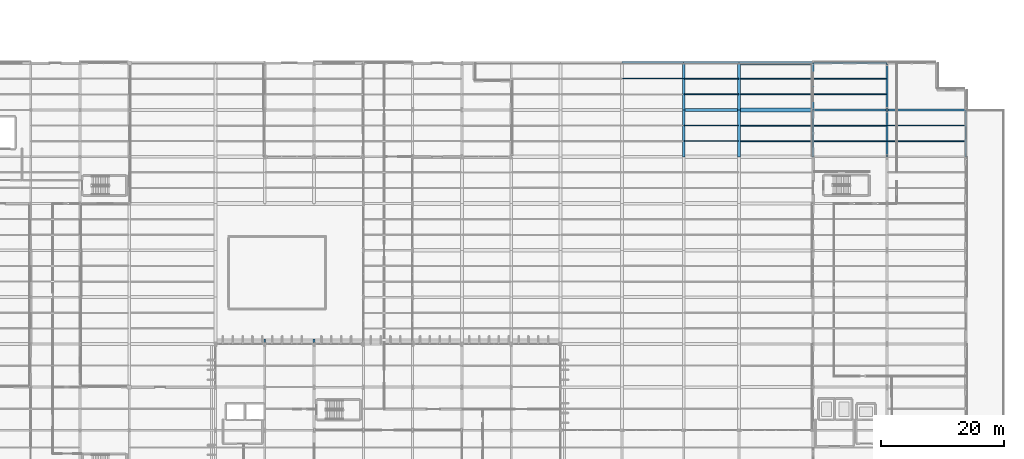
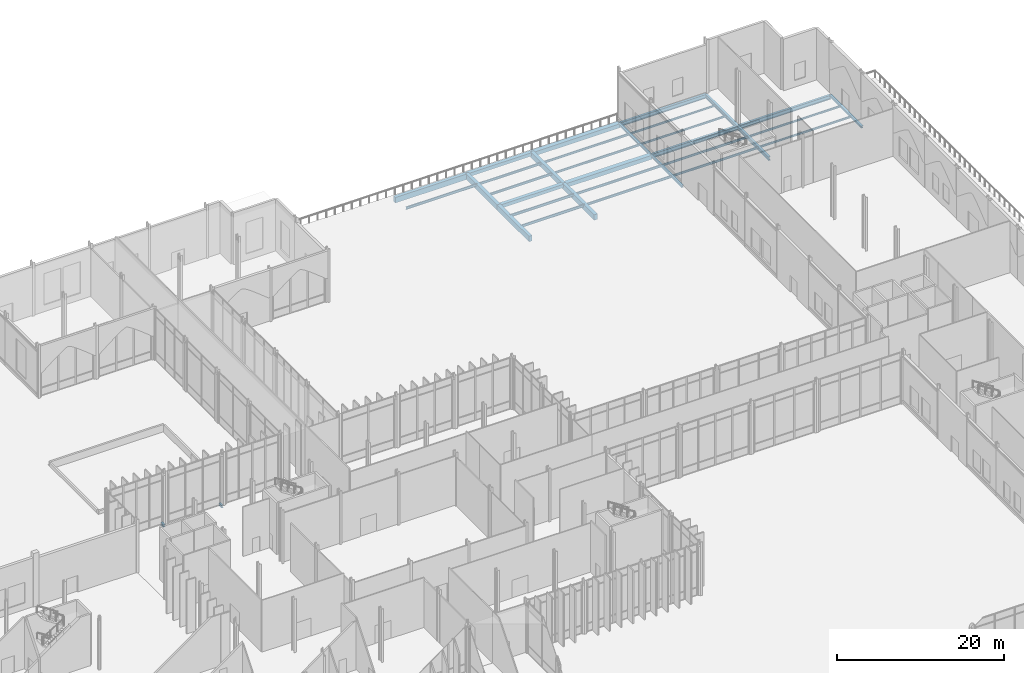
# One storey, part 115 of 176: 34 beams.
"""IFC4 building model written with IfcOpenShell, lengths in metres."""

from ifc_helpers import new_model, si_unit, direction, frame, origin, origin_2d, place, context, subcontext, project, spatial, rectangle, i_section, extrude, material, material_profile, profile_set, type_object, element, save


model = new_model("IFC4")

# Units and contexts
model_context = context("Model", 3, precision=1e-05, world=origin(), true_north=direction((0.0, 1.0)))
body_context = subcontext(model_context, "Body", "Model", "MODEL_VIEW")
ifc_project = project(units=[si_unit("LENGTHUNIT", "METRE"), si_unit("AREAUNIT", "SQUARE_METRE"), si_unit("VOLUMEUNIT", "CUBIC_METRE"), si_unit("PLANEANGLEUNIT", "RADIAN"), si_unit("MASSUNIT", "GRAM", prefix="KILO")], contexts=[model_context])

# Site, building, storey
site_placement = place(None, origin())
site = spatial("IfcSite", under=ifc_project, at=site_placement, CompositionType="ELEMENT")
building_placement = place(site_placement, origin())
building = spatial("IfcBuilding", under=site, at=building_placement, Name="Vekula Escarpment Museum", CompositionType="ELEMENT")
storey_placement = place(building_placement, origin())
storey = spatial("IfcBuildingStorey", under=building, at=storey_placement, Name="L01", CompositionType="ELEMENT", Elevation=0.0)

# Beams
ifc_material_1 = material(Name="Steel S355", Category="steel")
ifc_material_profile_1 = material_profile(ifc_material_1, i_section(OverallWidth=0.300048828125, OverallDepth=0.360107421875, WebThickness=0.012451171875, FlangeThickness=0.0224609375, FilletRadius=0.027099609375, at=origin_2d()), Name="HEB 360")
ifc_profile_set_1 = profile_set([ifc_material_profile_1], Name="Steel S355")
beam_type_1 = type_object("IfcBeamType", Name="BM-GIRD-HEB360", PredefinedType="BEAM", material=ifc_profile_set_1)
for number, where, z_axis, x_axis, name in (
    (1, (78.0, 90.550048828125, -0.47998046875), (0.0, 1.0, 0.0), (-1.0, 0.0, 0.0), "Solar Fin Column Bracket 008"),
    (2, (86.0, 90.550048828125, -0.47998046875), (0.0, 1.0, 0.0), (-1.0, 0.0, 0.0), "Solar Fin Column Bracket 009"),
):
    element("IfcBeam", number, at=place(storey_placement, frame(where, z_axis=z_axis, x_axis=x_axis)), inside=storey, type_object=beam_type_1, Name=name, PredefinedType="BEAM", context=body_context, shape_type="SweptSolid", body=[
        extrude(i_section(OverallWidth=0.300048828125, OverallDepth=0.360107421875, WebThickness=0.012451171875, FlangeThickness=0.0224609375, FilletRadius=0.027099609375, at=origin_2d()), origin(), (0.0, 0.0, 1.0), 0.679931640625),
    ])
ifc_material_2 = material(Name="Steel S355", Category="steel")
ifc_material_profile_2 = material_profile(ifc_material_2, i_section(OverallWidth=0.300048828125, OverallDepth=0.550048828125, WebThickness=0.014892578125, FlangeThickness=0.029052734375, FilletRadius=0.027099609375, at=origin_2d()), Name="HEB 550")
ifc_profile_set_2 = profile_set([ifc_material_profile_2], Name="Steel S355")
beam_type_2 = type_object("IfcBeamType", Name="BM-GIRD-HEB550", PredefinedType="BEAM", material=ifc_profile_set_2)
beam_1_placement = place(storey_placement, frame((179.0, 120.800048828125, -0.574951171875), z_axis=(0.0, 1.0, 0.0), x_axis=(-1.0, 0.0, 0.0)))
element("IfcBeam", 3, at=beam_1_placement, inside=storey, type_object=beam_type_2, Name="Beam Y L01 0760", PredefinedType="BEAM", context=body_context, shape_type="SweptSolid", body=[
    extrude(i_section(OverallWidth=0.300048828125, OverallDepth=0.550048828125, WebThickness=0.014892578125, FlangeThickness=0.029052734375, FilletRadius=0.027099609375, at=origin_2d()), origin(), (0.0, 0.0, 1.0), 7.599853515625),
])
beam_2_placement = place(storey_placement, frame((179.0, 128.39990234375, -0.574951171875), z_axis=(0.0, 1.0, 0.0), x_axis=(-1.0, 0.0, 0.0)))
element("IfcBeam", 4, at=beam_2_placement, inside=storey, type_object=beam_type_2, Name="Beam Y L01 0761", PredefinedType="BEAM", context=body_context, shape_type="SweptSolid", body=[
    extrude(i_section(OverallWidth=0.300048828125, OverallDepth=0.550048828125, WebThickness=0.014892578125, FlangeThickness=0.029052734375, FilletRadius=0.027099609375, at=origin_2d()), origin(), (0.0, 0.0, 1.0), 7.60009765625),
])
ifc_material_3 = material(Name="Steel S355", Category="steel")
ifc_material_profile_3 = material_profile(ifc_material_3, i_section(OverallWidth=0.300048828125, OverallDepth=0.60009765625, WebThickness=0.015380859375, FlangeThickness=0.030029296875, FilletRadius=0.027099609375, at=origin_2d()), Name="HEB 600")
ifc_profile_set_3 = profile_set([ifc_material_profile_3], Name="Steel S355")
beam_type_3 = type_object("IfcBeamType", Name="BM-GIRD-HEB600", PredefinedType="BEAM", material=ifc_profile_set_3)
beam_3_placement = place(storey_placement, frame((167.0, 128.39990234375, -0.60009765625), z_axis=(1.0, 0.0, 0.0), x_axis=(0.0, 1.0, 0.0)))
element("IfcBeam", 5, at=beam_3_placement, inside=storey, type_object=beam_type_3, Name="Beam X L01 0373", PredefinedType="BEAM", context=body_context, shape_type="SweptSolid", body=[
    extrude(i_section(OverallWidth=0.300048828125, OverallDepth=0.60009765625, WebThickness=0.015380859375, FlangeThickness=0.030029296875, FilletRadius=0.027099609375, at=origin_2d()), origin(), (0.0, 0.0, 1.0), 12.0),
])
beam_4_placement = place(storey_placement, frame((179.0, 128.39990234375, -0.60009765625), z_axis=(1.0, 0.0, 0.0), x_axis=(0.0, 1.0, 0.0)))
element("IfcBeam", 6, at=beam_4_placement, inside=storey, type_object=beam_type_3, Name="Beam X L01 0374", PredefinedType="BEAM", context=body_context, shape_type="SweptSolid", body=[
    extrude(i_section(OverallWidth=0.300048828125, OverallDepth=0.60009765625, WebThickness=0.015380859375, FlangeThickness=0.030029296875, FilletRadius=0.027099609375, at=origin_2d()), origin(), (0.0, 0.0, 1.0), 12.800048828125),
])
beam_5_placement = place(storey_placement, frame((167.0, 136.0, -0.60009765625), z_axis=(1.0, 0.0, 0.0), x_axis=(0.0, 1.0, 0.0)))
element("IfcBeam", 7, at=beam_5_placement, inside=storey, type_object=beam_type_3, Name="Beam X L01 0396", PredefinedType="BEAM", context=body_context, shape_type="SweptSolid", body=[
    extrude(i_section(OverallWidth=0.300048828125, OverallDepth=0.60009765625, WebThickness=0.015380859375, FlangeThickness=0.030029296875, FilletRadius=0.027099609375, at=origin_2d()), origin(), (0.0, 0.0, 1.0), 12.0),
])
ifc_material_4 = material(Name="Steel S355", Category="steel")
ifc_material_profile_4 = material_profile(ifc_material_4, i_section(OverallWidth=0.135009765625, OverallDepth=0.27001953125, WebThickness=0.006591796875, FlangeThickness=0.01025390625, FilletRadius=0.014892578125, at=origin_2d()), Name="IPE 270")
ifc_profile_set_4 = profile_set([ifc_material_profile_4], Name="Steel S355")
beam_type_4 = type_object("IfcBeamType", Name="BM-JST-IPE270", PredefinedType="JOIST", material=ifc_profile_set_4)
for number, where, z_axis, x_axis, name in (
    (8, (167.090087890625, 130.933349609375, -0.43505859375), (1.0, 0.0, 0.0), (0.0, 1.0, 0.0), "Secondary Joist L01 0565"),
    (9, (167.090087890625, 133.466796875, -0.43505859375), (1.0, 0.0, 0.0), (0.0, 1.0, 0.0), "Secondary Joist L01 0566"),
):
    element("IfcBeam", number, at=place(storey_placement, frame(where, z_axis=z_axis, x_axis=x_axis)), inside=storey, type_object=beam_type_4, Name=name, PredefinedType="JOIST", context=body_context, shape_type="SweptSolid", body=[
        extrude(i_section(OverallWidth=0.135009765625, OverallDepth=0.27001953125, WebThickness=0.006591796875, FlangeThickness=0.01025390625, FilletRadius=0.014892578125, at=origin_2d()), origin(), (0.0, 0.0, 1.0), 11.81982421875),
    ])
for number, where, z_axis, x_axis, name in (
    (10, (179.090087890625, 123.333251953125, -0.43505859375), (1.0, 0.0, 0.0), (0.0, 1.0, 0.0), "Secondary Joist L01 0593"),
    (11, (179.090087890625, 125.86669921875, -0.43505859375), (1.0, 0.0, 0.0), (0.0, 1.0, 0.0), "Secondary Joist L01 0594"),
):
    element("IfcBeam", number, at=place(storey_placement, frame(where, z_axis=z_axis, x_axis=x_axis)), inside=storey, type_object=beam_type_4, Name=name, PredefinedType="JOIST", context=body_context, shape_type="SweptSolid", body=[
        extrude(i_section(OverallWidth=0.135009765625, OverallDepth=0.27001953125, WebThickness=0.006591796875, FlangeThickness=0.01025390625, FilletRadius=0.014892578125, at=origin_2d()), origin(), (0.0, 0.0, 1.0), 12.619873046875),
    ])
ifc_material_5 = material(Name="Steel S355", Category="steel")
ifc_material_profile_5 = material_profile(ifc_material_5, i_section(OverallWidth=0.14990234375, OverallDepth=0.300048828125, WebThickness=0.007080078125, FlangeThickness=0.0107421875, FilletRadius=0.014892578125, at=origin_2d()), Name="IPE 300")
ifc_profile_set_5 = profile_set([ifc_material_profile_5], Name="Steel S355")
beam_type_5 = type_object("IfcBeamType", Name="BM-JST-IPE300", PredefinedType="JOIST", material=ifc_profile_set_5)
for number, where, z_axis, x_axis, name in (
    (12, (155.090087890625, 130.933349609375, -0.449951171875), (1.0, 0.0, 0.0), (0.0, 1.0, 0.0), "Secondary Joist L01 0537"),
    (13, (155.090087890625, 133.466796875, -0.449951171875), (1.0, 0.0, 0.0), (0.0, 1.0, 0.0), "Secondary Joist L01 0538"),
    (14, (167.090087890625, 123.333251953125, -0.449951171875), (1.0, 0.0, 0.0), (0.0, 1.0, 0.0), "Secondary Joist L01 0563"),
    (15, (167.090087890625, 125.86669921875, -0.449951171875), (1.0, 0.0, 0.0), (0.0, 1.0, 0.0), "Secondary Joist L01 0564"),
):
    element("IfcBeam", number, at=place(storey_placement, frame(where, z_axis=z_axis, x_axis=x_axis)), inside=storey, type_object=beam_type_5, Name=name, PredefinedType="JOIST", context=body_context, shape_type="SweptSolid", body=[
        extrude(i_section(OverallWidth=0.14990234375, OverallDepth=0.300048828125, WebThickness=0.007080078125, FlangeThickness=0.0107421875, FilletRadius=0.014892578125, at=origin_2d()), origin(), (0.0, 0.0, 1.0), 11.81982421875),
    ])
ifc_material_6 = material(Name="Steel S355", Category="steel")
ifc_material_profile_6 = material_profile(ifc_material_6, i_section(OverallWidth=0.159912109375, OverallDepth=0.330078125, WebThickness=0.007568359375, FlangeThickness=0.011474609375, FilletRadius=0.01806640625, at=origin_2d()), Name="IPE 330")
ifc_profile_set_6 = profile_set([ifc_material_profile_6], Name="Steel S355")
beam_type_6 = type_object("IfcBeamType", Name="BM-JST-IPE330", PredefinedType="JOIST", material=ifc_profile_set_6)
for number, where, z_axis, x_axis, name in (
    (16, (146.090087890625, 130.933349609375, -0.465087890625), (1.0, 0.0, 0.0), (0.0, 1.0, 0.0), "Secondary Joist L01 0505"),
    (17, (146.090087890625, 133.466796875, -0.465087890625), (1.0, 0.0, 0.0), (0.0, 1.0, 0.0), "Secondary Joist L01 0506"),
):
    element("IfcBeam", number, at=place(storey_placement, frame(where, z_axis=z_axis, x_axis=x_axis)), inside=storey, type_object=beam_type_6, Name=name, PredefinedType="JOIST", context=body_context, shape_type="SweptSolid", body=[
        extrude(i_section(OverallWidth=0.159912109375, OverallDepth=0.330078125, WebThickness=0.007568359375, FlangeThickness=0.011474609375, FilletRadius=0.01806640625, at=origin_2d()), origin(), (0.0, 0.0, 1.0), 8.81982421875),
    ])
for number, where, z_axis, x_axis, name in (
    (18, (155.090087890625, 123.333251953125, -0.465087890625), (1.0, 0.0, 0.0), (0.0, 1.0, 0.0), "Secondary Joist L01 0535"),
    (19, (155.090087890625, 125.86669921875, -0.465087890625), (1.0, 0.0, 0.0), (0.0, 1.0, 0.0), "Secondary Joist L01 0536"),
):
    element("IfcBeam", number, at=place(storey_placement, frame(where, z_axis=z_axis, x_axis=x_axis)), inside=storey, type_object=beam_type_6, Name=name, PredefinedType="JOIST", context=body_context, shape_type="SweptSolid", body=[
        extrude(i_section(OverallWidth=0.159912109375, OverallDepth=0.330078125, WebThickness=0.007568359375, FlangeThickness=0.011474609375, FilletRadius=0.01806640625, at=origin_2d()), origin(), (0.0, 0.0, 1.0), 11.81982421875),
    ])
ifc_material_7 = material(Name="Steel S355", Category="steel")
ifc_material_profile_7 = material_profile(ifc_material_7, i_section(OverallWidth=0.169921875, OverallDepth=0.360107421875, WebThickness=0.008056640625, FlangeThickness=0.0126953125, FilletRadius=0.01806640625, at=origin_2d()), Name="IPE 360")
ifc_profile_set_7 = profile_set([ifc_material_profile_7], Name="Steel S355")
beam_type_7 = type_object("IfcBeamType", Name="BM-JST-IPE360", PredefinedType="JOIST", material=ifc_profile_set_7)
beam_6_placement = place(storey_placement, frame((136.090087890625, 133.466796875, -0.47998046875), z_axis=(1.0, 0.0, 0.0), x_axis=(0.0, 1.0, 0.0)))
element("IfcBeam", 20, at=beam_6_placement, inside=storey, type_object=beam_type_7, Name="Secondary Joist L01 0474", PredefinedType="JOIST", context=body_context, shape_type="SweptSolid", body=[
    extrude(i_section(OverallWidth=0.169921875, OverallDepth=0.360107421875, WebThickness=0.008056640625, FlangeThickness=0.0126953125, FilletRadius=0.01806640625, at=origin_2d()), origin(), (0.0, 0.0, 1.0), 9.81982421875),
])
for number, where, z_axis, x_axis, name in (
    (21, (146.090087890625, 123.333251953125, -0.47998046875), (1.0, 0.0, 0.0), (0.0, 1.0, 0.0), "Secondary Joist L01 0503"),
    (22, (146.090087890625, 125.86669921875, -0.47998046875), (1.0, 0.0, 0.0), (0.0, 1.0, 0.0), "Secondary Joist L01 0504"),
):
    element("IfcBeam", number, at=place(storey_placement, frame(where, z_axis=z_axis, x_axis=x_axis)), inside=storey, type_object=beam_type_7, Name=name, PredefinedType="JOIST", context=body_context, shape_type="SweptSolid", body=[
        extrude(i_section(OverallWidth=0.169921875, OverallDepth=0.360107421875, WebThickness=0.008056640625, FlangeThickness=0.0126953125, FilletRadius=0.01806640625, at=origin_2d()), origin(), (0.0, 0.0, 1.0), 8.81982421875),
    ])
ifc_material_8 = material(Name="Concrete C35/45", Category="concrete")
ifc_material_profile_8 = material_profile(ifc_material_8, rectangle(XDim=0.449951171875, YDim=0.800048828125, at=origin_2d()), Name="RC 450x800")
ifc_profile_set_8 = profile_set([ifc_material_profile_8], Name="Concrete C35/45")
beam_type_8 = type_object("IfcBeamType", Name="BM-PLINTH-RC", PredefinedType="BEAM", material=ifc_profile_set_8)
beam_7_placement = place(storey_placement, frame((136.0, 136.0, -0.699951171875), z_axis=(1.0, 0.0, 0.0), x_axis=(0.0, 1.0, 0.0)))
element("IfcBeam", 23, at=beam_7_placement, inside=storey, type_object=beam_type_8, Name="Beam X L01 0393", PredefinedType="BEAM", context=body_context, shape_type="SweptSolid", body=[
    extrude(rectangle(XDim=0.449951171875, YDim=0.800048828125, at=origin_2d()), origin(), (0.0, 0.0, 1.0), 10.0),
])
beam_8_placement = place(storey_placement, frame((146.0, 120.800048828125, -0.699951171875), z_axis=(0.0, 1.0, 0.0), x_axis=(-1.0, 0.0, 0.0)))
element("IfcBeam", 24, at=beam_8_placement, inside=storey, type_object=beam_type_8, Name="Beam Y L01 0703", PredefinedType="BEAM", context=body_context, shape_type="SweptSolid", body=[
    extrude(rectangle(XDim=0.449951171875, YDim=0.800048828125, at=origin_2d()), origin(), (0.0, 0.0, 1.0), 7.599853515625),
])
beam_9_placement = place(storey_placement, frame((146.0, 128.39990234375, -0.699951171875), z_axis=(0.0, 1.0, 0.0), x_axis=(-1.0, 0.0, 0.0)))
element("IfcBeam", 25, at=beam_9_placement, inside=storey, type_object=beam_type_8, Name="Beam Y L01 0704", PredefinedType="BEAM", context=body_context, shape_type="SweptSolid", body=[
    extrude(rectangle(XDim=0.449951171875, YDim=0.800048828125, at=origin_2d()), origin(), (0.0, 0.0, 1.0), 7.60009765625),
])
beam_10_placement = place(storey_placement, frame((155.0, 120.800048828125, -0.699951171875), z_axis=(0.0, 1.0, 0.0), x_axis=(-1.0, 0.0, 0.0)))
element("IfcBeam", 26, at=beam_10_placement, inside=storey, type_object=beam_type_8, Name="Beam Y L01 0722", PredefinedType="BEAM", context=body_context, shape_type="SweptSolid", body=[
    extrude(rectangle(XDim=0.449951171875, YDim=0.800048828125, at=origin_2d()), origin(), (0.0, 0.0, 1.0), 7.599853515625),
])
beam_11_placement = place(storey_placement, frame((155.0, 128.39990234375, -0.699951171875), z_axis=(0.0, 1.0, 0.0), x_axis=(-1.0, 0.0, 0.0)))
element("IfcBeam", 27, at=beam_11_placement, inside=storey, type_object=beam_type_8, Name="Beam Y L01 0723", PredefinedType="BEAM", context=body_context, shape_type="SweptSolid", body=[
    extrude(rectangle(XDim=0.449951171875, YDim=0.800048828125, at=origin_2d()), origin(), (0.0, 0.0, 1.0), 7.60009765625),
])
ifc_material_9 = material(Name="Concrete C35/45", Category="concrete")
ifc_material_profile_9 = material_profile(ifc_material_9, rectangle(XDim=0.5, YDim=0.5, at=origin_2d()), Name="RC 500x500")
ifc_profile_set_9 = profile_set([ifc_material_profile_9], Name="Concrete C35/45")
beam_type_9 = type_object("IfcBeamType", Name="BM-PLINTH-RC3", PredefinedType="BEAM", material=ifc_profile_set_9)
for number, where, z_axis, x_axis, name in (
    (28, (146.0, 128.39990234375, -0.550048828125), (1.0, 0.0, 0.0), (0.0, 1.0, 0.0), "Beam X L01 0371"),
    (29, (146.0, 136.0, -0.550048828125), (1.0, 0.0, 0.0), (0.0, 1.0, 0.0), "Beam X L01 0394"),
):
    element("IfcBeam", number, at=place(storey_placement, frame(where, z_axis=z_axis, x_axis=x_axis)), inside=storey, type_object=beam_type_9, Name=name, PredefinedType="BEAM", context=body_context, shape_type="SweptSolid", body=[
        extrude(rectangle(XDim=0.5, YDim=0.5, at=origin_2d()), origin(), (0.0, 0.0, 1.0), 9.0),
    ])
ifc_material_10 = material(Name="Concrete C35/45", Category="concrete")
ifc_material_profile_10 = material_profile(ifc_material_10, rectangle(XDim=0.60009765625, YDim=0.60009765625, at=origin_2d()), Name="RC 600x600")
ifc_profile_set_10 = profile_set([ifc_material_profile_10], Name="Concrete C35/45")
beam_type_10 = type_object("IfcBeamType", Name="BM-PLINTH-RC4", PredefinedType="BEAM", material=ifc_profile_set_10)
for number, where, z_axis, x_axis, name in (
    (30, (155.0, 128.39990234375, -0.60009765625), (1.0, 0.0, 0.0), (0.0, 1.0, 0.0), "Beam X L01 0372"),
    (31, (155.0, 136.0, -0.60009765625), (1.0, 0.0, 0.0), (0.0, 1.0, 0.0), "Beam X L01 0395"),
):
    element("IfcBeam", number, at=place(storey_placement, frame(where, z_axis=z_axis, x_axis=x_axis)), inside=storey, type_object=beam_type_10, Name=name, PredefinedType="BEAM", context=body_context, shape_type="SweptSolid", body=[
        extrude(rectangle(XDim=0.60009765625, YDim=0.60009765625, at=origin_2d()), origin(), (0.0, 0.0, 1.0), 12.0),
    ])
ifc_material_11 = material(Name="Steel S355", Category="steel")
ifc_material_profile_11 = material_profile(ifc_material_11, i_section(OverallWidth=0.300048828125, OverallDepth=0.2900390625, WebThickness=0.008544921875, FlangeThickness=0.013916015625, FilletRadius=0.027099609375, at=origin_2d()), Name="HEA 300")
ifc_profile_set_11 = profile_set([ifc_material_profile_11], Name="Steel S355")
beam_type_11 = type_object("IfcBeamType", Name="BM-SPAN-HEA300", PredefinedType="SPANDREL", material=ifc_profile_set_11)
beam_12_placement = place(storey_placement, frame((167.0, 120.800048828125, -0.445068359375), z_axis=(0.0, 1.0, 0.0), x_axis=(-1.0, 0.0, 0.0)))
element("IfcBeam", 32, at=beam_12_placement, inside=storey, type_object=beam_type_11, Name="Beam Y L01 0741", PredefinedType="SPANDREL", context=body_context, shape_type="SweptSolid", body=[
    extrude(i_section(OverallWidth=0.300048828125, OverallDepth=0.2900390625, WebThickness=0.008544921875, FlangeThickness=0.013916015625, FilletRadius=0.027099609375, at=origin_2d()), origin(), (0.0, 0.0, 1.0), 7.599853515625),
])
beam_13_placement = place(storey_placement, frame((167.0, 128.39990234375, -0.445068359375), z_axis=(0.0, 1.0, 0.0), x_axis=(-1.0, 0.0, 0.0)))
element("IfcBeam", 33, at=beam_13_placement, inside=storey, type_object=beam_type_11, Name="Beam Y L01 0742", PredefinedType="SPANDREL", context=body_context, shape_type="SweptSolid", body=[
    extrude(i_section(OverallWidth=0.300048828125, OverallDepth=0.2900390625, WebThickness=0.008544921875, FlangeThickness=0.013916015625, FilletRadius=0.027099609375, at=origin_2d()), origin(), (0.0, 0.0, 1.0), 7.60009765625),
])
beam_14_placement = place(storey_placement, frame((191.800048828125, 120.800048828125, -0.445068359375), z_axis=(0.0, 1.0, 0.0), x_axis=(-1.0, 0.0, 0.0)))
element("IfcBeam", 34, at=beam_14_placement, inside=storey, type_object=beam_type_11, Name="Beam Y L01 0779", PredefinedType="SPANDREL", context=body_context, shape_type="SweptSolid", body=[
    extrude(i_section(OverallWidth=0.300048828125, OverallDepth=0.2900390625, WebThickness=0.008544921875, FlangeThickness=0.013916015625, FilletRadius=0.027099609375, at=origin_2d()), origin(), (0.0, 0.0, 1.0), 7.599853515625),
])

save(model, "model.ifc")
